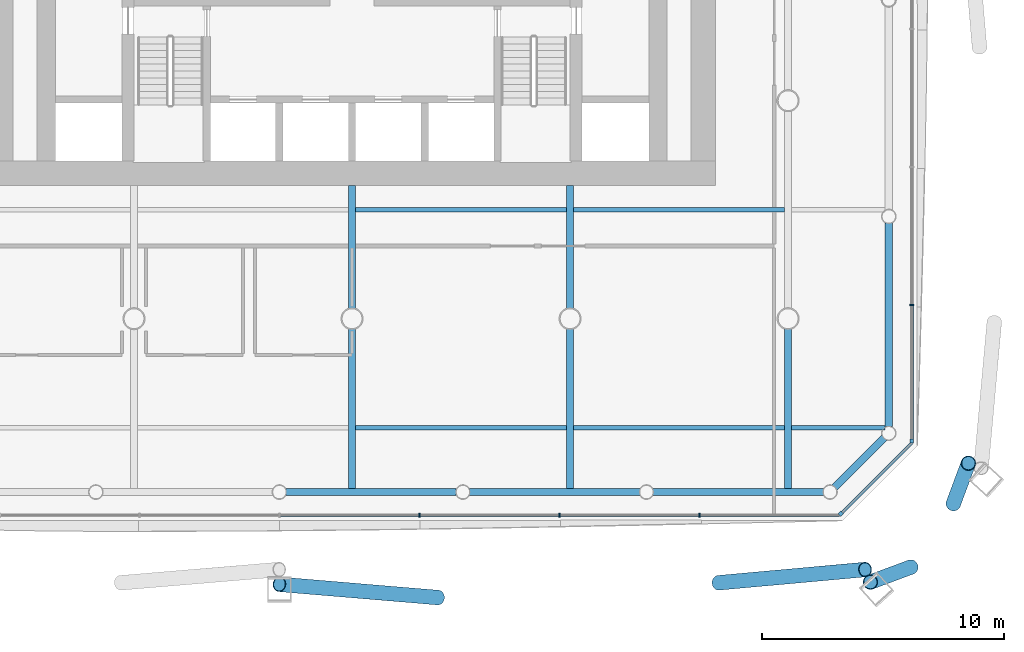
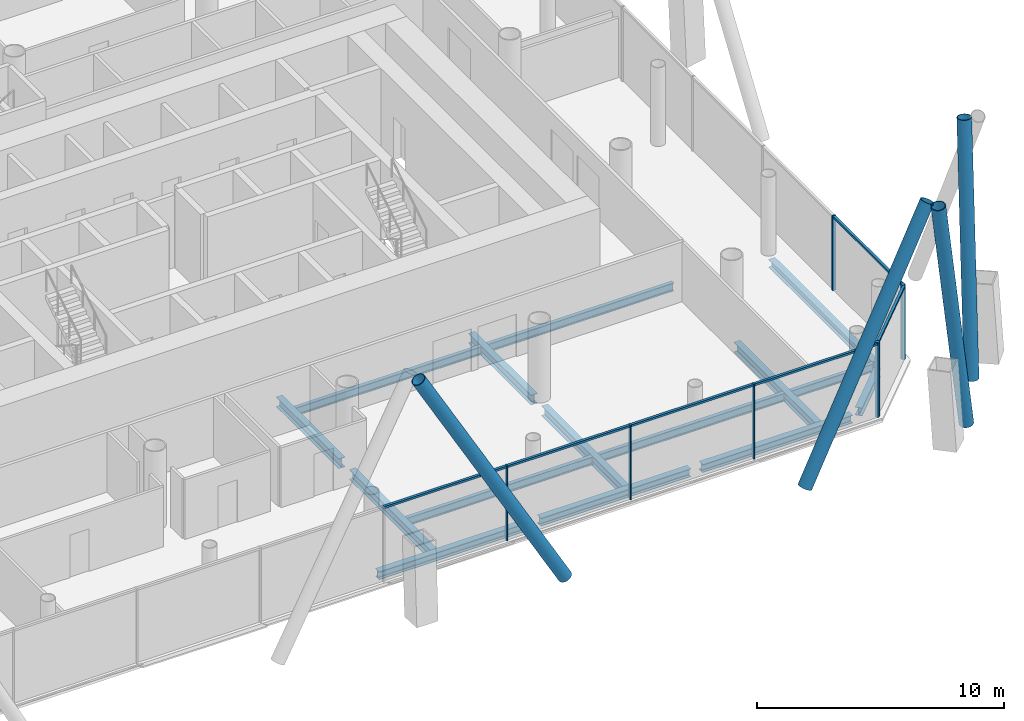
# One storey, part 5 of 21: 16 members, 15 beams, 3 elements without a shape of their own.
"""IFC4 building model written with IfcOpenShell, lengths in metres."""

from ifc_helpers import new_model, si_unit, direction, frame, origin, origin_2d, place, context, subcontext, project, spatial, rectangle, hollow_circle, i_section, extrude, material, material_profile, profile_set, type_object, element, aggregate, save


model = new_model("IFC4")

# Units and contexts
model_context = context("Model", 3, precision=1e-05, world=origin(), true_north=direction((0.0, 1.0)))
body_context = subcontext(model_context, "Body", "Model", "MODEL_VIEW")
ifc_project = project(units=[si_unit("LENGTHUNIT", "METRE"), si_unit("AREAUNIT", "SQUARE_METRE"), si_unit("VOLUMEUNIT", "CUBIC_METRE"), si_unit("PLANEANGLEUNIT", "RADIAN"), si_unit("MASSUNIT", "GRAM", prefix="KILO")], contexts=[model_context])

# Site, building, storey
site_placement = place(None, origin())
site = spatial("IfcSite", under=ifc_project, at=site_placement, CompositionType="ELEMENT")
building_placement = place(site_placement, origin())
building = spatial("IfcBuilding", under=site, at=building_placement, Name="Tskaro Facet Tower", CompositionType="ELEMENT")
storey_placement = place(building_placement, frame((0.0, 0.0, 45.89990234375)))
storey = spatial("IfcBuildingStorey", under=building, at=storey_placement, Name="L10", CompositionType="ELEMENT", Elevation=45.89990234375)

# Members
ifc_material_1 = material(Name="Steel S355J2H", Category="steel")
ifc_material_profile_1 = material_profile(ifc_material_1, hollow_circle(Radius=0.304931640625, WallThickness=0.030029296875, at=origin_2d()), Name="CHS 610x30")
ifc_profile_set_1 = profile_set([ifc_material_profile_1], Name="Steel S355J2H")
member_type_1 = type_object("IfcMemberType", Name="CHS 610x30 brace", PredefinedType="BRACE", material=ifc_profile_set_1)
member_1_placement = place(storey_placement, frame((15.135009765625, -28.90185546875, 0.0), z_axis=(0.458612663936, 0.041564087959, 0.887663703815), x_axis=(-0.090260117017, 0.995918225195, 0.0)))
element("IfcMember", 1, at=member_1_placement, inside=storey, type_object=member_type_1, Name="CHS 610x30 XB02A/1", PredefinedType="BRACE", context=body_context, shape_type="SweptSolid", body=[
    extrude(hollow_circle(Radius=0.304931640625, WallThickness=0.030029296875, at=origin_2d()), origin(), (0.0, 0.0, 1.0), 13.180908203125),
])
member_2_placement = place(storey_placement, frame((3.545166015625, -29.51171875, 0.0), z_axis=(-0.487802287614, 0.040812433553, 0.871999583409), x_axis=(-0.083374631246, -0.996518274225, 0.0)))
element("IfcMember", 2, at=member_2_placement, inside=storey, type_object=member_type_1, Name="CHS 610x30 XB02B/1", PredefinedType="BRACE", context=body_context, shape_type="SweptSolid", body=[
    extrude(hollow_circle(Radius=0.304931640625, WallThickness=0.030029296875, at=origin_2d()), origin(), (0.0, 0.0, 1.0), 13.417724609375),
])
for number, where, z_axis, x_axis, name in (
    (3, (24.82373046875, -25.6318359375, 0.0), (0.052357169135, 0.140898134434, 0.988638681497), (-0.937374066257, 0.348324360199, 0.0), "CHS 610x30 XB03A/1"),
    (4, (23.063232421875, -28.255126953125, 0.0), (-0.140898134434, -0.052357169135, 0.988638681497), (0.348324360199, -0.937374066257, 0.0), "CHS 610x30 XB03B/1"),
):
    element("IfcMember", number, at=place(storey_placement, frame(where, z_axis=z_axis, x_axis=x_axis)), inside=storey, type_object=member_type_1, Name=name, PredefinedType="BRACE", context=body_context, shape_type="SweptSolid", body=[
        extrude(hollow_circle(Radius=0.304931640625, WallThickness=0.030029296875, at=origin_2d()), origin(), (0.0, 0.0, 1.0), 11.834716796875),
    ])

# Curtain wall, member
ifc_material_2 = material(Name="Bronze anodised aluminium 6063-T6", Category="aluminium")
curtain_wall_type = type_object("IfcCurtainWallType", Name="Bronze office curtain wall (FW1)", PredefinedType="NOTDEFINED", material=ifc_material_2)
curtain_wall_1_placement = place(storey_placement, origin())
curtain_wall_1 = element("IfcCurtainWall", 5, at=curtain_wall_1_placement, inside=storey, type_object=curtain_wall_type, Name="FW1 south-east facet L10", PredefinedType="NOTDEFINED")
ifc_material_profile_2 = material_profile(ifc_material_2, rectangle(XDim=0.159912109375, YDim=0.159912109375, at=origin_2d()), Name="Corner post 160x160")
ifc_profile_set_2 = profile_set([ifc_material_profile_2], Name="Bronze anodised aluminium 6063-T6")
member_type_2 = type_object("IfcMemberType", Name="FW1 bronze corner post 160x160", PredefinedType="MULLION", material=ifc_profile_set_2)
member_3_placement = place(storey_placement, frame((20.178466796875, -26.050537109375, 0.0), z_axis=(0.0, 0.0, 1.0), x_axis=(0.707106781187, 0.707106781187, 0.0)))
member_3 = element("IfcMember", 6, at=member_3_placement, type_object=member_type_2, Name="FW1 south-east corner post", PredefinedType="MULLION", context=body_context, shape_type="SweptSolid", body=[
    extrude(rectangle(XDim=0.159912109375, YDim=0.159912109375, at=origin_2d()), origin(), (0.0, 0.0, 1.0), 3.7001953125),
])

curtain_wall_2_placement = place(storey_placement, origin())
curtain_wall_2 = element("IfcCurtainWall", 7, at=curtain_wall_2_placement, inside=storey, type_object=curtain_wall_type, Name="FW1 east facet L10", PredefinedType="NOTDEFINED")
member_4_placement = place(storey_placement, frame((23.10693359375, -23.0419921875, 0.0), z_axis=(0.0, 0.0, 1.0), x_axis=(0.0, 1.0, 0.0)))
member_4 = element("IfcMember", 8, at=member_4_placement, type_object=member_type_2, Name="FW1 east corner post", PredefinedType="MULLION", context=body_context, shape_type="SweptSolid", body=[
    extrude(rectangle(XDim=0.159912109375, YDim=0.159912109375, at=origin_2d()), origin(), (0.0, 0.0, 1.0), 3.7001953125),
])

# Curtain wall, members
curtain_wall_3_placement = place(storey_placement, origin())
curtain_wall_3 = element("IfcCurtainWall", 9, at=curtain_wall_3_placement, inside=storey, type_object=curtain_wall_type, Name="FW1 south facet L10", PredefinedType="NOTDEFINED")
ifc_material_profile_3 = material_profile(ifc_material_2, rectangle(XDim=0.06005859375, YDim=0.159912109375, at=origin_2d()), Name="Mullion 60x160")
ifc_profile_set_3 = profile_set([ifc_material_profile_3], Name="Bronze anodised aluminium 6063-T6")
member_type_3 = type_object("IfcMemberType", Name="FW1 bronze mullion 60x160", PredefinedType="MULLION", material=ifc_profile_set_3)
member_5_placement = place(storey_placement, frame((2.780517578125, -26.10693359375, 0.0), z_axis=(0.0, 0.0, 1.0), x_axis=(1.0, 0.0, 0.0)))
member_5 = element("IfcMember", 10, at=member_5_placement, type_object=member_type_3, Name="FW1 south mullion 5", PredefinedType="MULLION", context=body_context, shape_type="SweptSolid", body=[
    extrude(rectangle(XDim=0.06005859375, YDim=0.159912109375, at=origin_2d()), origin(), (0.0, 0.0, 1.0), 3.7001953125),
])
member_6_placement = place(storey_placement, frame((8.56103515625, -26.10693359375, 0.0), z_axis=(0.0, 0.0, 1.0), x_axis=(1.0, 0.0, 0.0)))
member_6 = element("IfcMember", 11, at=member_6_placement, type_object=member_type_3, Name="FW1 south mullion 6", PredefinedType="MULLION", context=body_context, shape_type="SweptSolid", body=[
    extrude(rectangle(XDim=0.06005859375, YDim=0.159912109375, at=origin_2d()), origin(), (0.0, 0.0, 1.0), 3.7001953125),
])
member_7_placement = place(storey_placement, frame((14.341552734375, -26.10693359375, 0.0), z_axis=(0.0, 0.0, 1.0), x_axis=(1.0, 0.0, 0.0)))
member_7 = element("IfcMember", 12, at=member_7_placement, type_object=member_type_3, Name="FW1 south mullion 7", PredefinedType="MULLION", context=body_context, shape_type="SweptSolid", body=[
    extrude(rectangle(XDim=0.06005859375, YDim=0.159912109375, at=origin_2d()), origin(), (0.0, 0.0, 1.0), 3.7001953125),
])

# Member
member_8_placement = place(storey_placement, frame((23.10693359375, -17.43115234375, 0.0), z_axis=(0.0, 0.0, 1.0), x_axis=(0.0, 1.0, 0.0)))
member_8 = element("IfcMember", 13, at=member_8_placement, type_object=member_type_3, Name="FW1 east mullion 1", PredefinedType="MULLION", context=body_context, shape_type="SweptSolid", body=[
    extrude(rectangle(XDim=0.06005859375, YDim=0.159912109375, at=origin_2d()), origin(), (0.0, 0.0, 1.0), 3.7001953125),
])

ifc_material_profile_4 = material_profile(ifc_material_2, rectangle(XDim=0.1201171875, YDim=0.10009765625, at=origin_2d()), Name="Transom 120x100")
ifc_profile_set_4 = profile_set([ifc_material_profile_4], Name="Bronze anodised aluminium 6063-T6")
member_type_4 = type_object("IfcMemberType", Name="FW1 bronze transom 120x100", PredefinedType="USERDEFINED", material=ifc_profile_set_4)
member_9_placement = place(storey_placement, frame((-2.969970703125, -26.10693359375, 3.650146484375), z_axis=(1.0, 0.0, 0.0), x_axis=(0.0, 1.0, 0.0)))
member_9 = element("IfcMember", 14, at=member_9_placement, type_object=member_type_4, Name="FW1 south transom 5.1", ObjectType="TRANSOM", PredefinedType="USERDEFINED", context=body_context, shape_type="SweptSolid", body=[
    extrude(rectangle(XDim=0.1201171875, YDim=0.10009765625, at=origin_2d()), origin(), (0.0, 0.0, 1.0), 5.720458984375),
])

member_10_placement = place(storey_placement, frame((2.810546875, -26.10693359375, 3.650146484375), z_axis=(1.0, 0.0, 0.0), x_axis=(0.0, 1.0, 0.0)))
member_10 = element("IfcMember", 15, at=member_10_placement, type_object=member_type_4, Name="FW1 south transom 6.1", ObjectType="TRANSOM", PredefinedType="USERDEFINED", context=body_context, shape_type="SweptSolid", body=[
    extrude(rectangle(XDim=0.1201171875, YDim=0.10009765625, at=origin_2d()), origin(), (0.0, 0.0, 1.0), 5.720458984375),
])

member_11_placement = place(storey_placement, frame((8.591064453125, -26.10693359375, 3.650146484375), z_axis=(1.0, 0.0, 0.0), x_axis=(0.0, 1.0, 0.0)))
member_11 = element("IfcMember", 16, at=member_11_placement, type_object=member_type_4, Name="FW1 south transom 7.1", ObjectType="TRANSOM", PredefinedType="USERDEFINED", context=body_context, shape_type="SweptSolid", body=[
    extrude(rectangle(XDim=0.1201171875, YDim=0.10009765625, at=origin_2d()), origin(), (0.0, 0.0, 1.0), 5.720458984375),
])

member_12_placement = place(storey_placement, frame((14.37158203125, -26.10693359375, 3.650146484375), z_axis=(1.0, 0.0, 0.0), x_axis=(0.0, 1.0, 0.0)))
member_12 = element("IfcMember", 17, at=member_12_placement, type_object=member_type_4, Name="FW1 south transom 8.1", ObjectType="TRANSOM", PredefinedType="USERDEFINED", context=body_context, shape_type="SweptSolid", body=[
    extrude(rectangle(XDim=0.1201171875, YDim=0.10009765625, at=origin_2d()), origin(), (0.0, 0.0, 1.0), 5.75048828125),
])

aggregate(curtain_wall_3, [member_5, member_6, member_7, member_9, member_10, member_11, member_12])

member_13_placement = place(storey_placement, frame((20.235107421875, -25.993896484375, 3.650146484375), z_axis=(0.707106781187, 0.707106781187, 0.0), x_axis=(-0.707106781187, 0.707106781187, 0.0)))
member_13 = element("IfcMember", 18, at=member_13_placement, type_object=member_type_4, Name="FW1 south-east transom 1.1", ObjectType="TRANSOM", PredefinedType="USERDEFINED", context=body_context, shape_type="SweptSolid", body=[
    extrude(rectangle(XDim=0.1201171875, YDim=0.10009765625, at=origin_2d()), origin(), (0.0, 0.0, 1.0), 4.061279296875),
])

aggregate(curtain_wall_1, [member_3, member_13])

member_14_placement = place(storey_placement, frame((23.10693359375, -22.9619140625, 3.650146484375), z_axis=(0.0, 1.0, 0.0), x_axis=(-1.0, 0.0, 0.0)))
member_14 = element("IfcMember", 19, at=member_14_placement, type_object=member_type_4, Name="FW1 east transom 1.1", ObjectType="TRANSOM", PredefinedType="USERDEFINED", context=body_context, shape_type="SweptSolid", body=[
    extrude(rectangle(XDim=0.1201171875, YDim=0.10009765625, at=origin_2d()), origin(), (0.0, 0.0, 1.0), 5.500732421875),
])

aggregate(curtain_wall_2, [member_4, member_8, member_14])

# Beams
ifc_material_3 = material(Name="Steel S355J2", Category="steel")
ifc_material_profile_5 = material_profile(ifc_material_3, i_section(OverallWidth=0.300048828125, OverallDepth=0.39990234375, WebThickness=0.013427734375, FlangeThickness=0.02392578125, FilletRadius=0.027099609375, at=origin_2d()), Name="HE 400 B")
ifc_profile_set_5 = profile_set([ifc_material_profile_5], Name="Steel S355J2")
beam_type_1 = type_object("IfcBeamType", Name="HE 400 B ring beam", PredefinedType="BEAM", material=ifc_profile_set_5)
beam_1_placement = place(storey_placement, frame((-2.72509765625, -25.156982421875, -0.33984375), z_axis=(1.0, 0.0, 0.0), x_axis=(0.0, 1.0, 0.0)))
element("IfcBeam", 20, at=beam_1_placement, inside=storey, type_object=beam_type_1, Name="HE 400 B EB4-1", PredefinedType="BEAM", context=body_context, shape_type="SweptSolid", body=[
    extrude(i_section(OverallWidth=0.300048828125, OverallDepth=0.39990234375, WebThickness=0.013427734375, FlangeThickness=0.02392578125, FilletRadius=0.027099609375, at=origin_2d()), origin(), (0.0, 0.0, 1.0), 7.026123046875),
])
beam_2_placement = place(storey_placement, frame((4.85107421875, -25.156982421875, -0.33984375), z_axis=(1.0, 0.0, 0.0), x_axis=(0.0, 1.0, 0.0)))
element("IfcBeam", 21, at=beam_2_placement, inside=storey, type_object=beam_type_1, Name="HE 400 B EB5-1", PredefinedType="BEAM", context=body_context, shape_type="SweptSolid", body=[
    extrude(i_section(OverallWidth=0.300048828125, OverallDepth=0.39990234375, WebThickness=0.013427734375, FlangeThickness=0.02392578125, FilletRadius=0.027099609375, at=origin_2d()), origin(), (0.0, 0.0, 1.0), 7.02685546875),
])
beam_3_placement = place(storey_placement, frame((12.427978515625, -25.156982421875, -0.33984375), z_axis=(1.0, 0.0, 0.0), x_axis=(0.0, 1.0, 0.0)))
element("IfcBeam", 22, at=beam_3_placement, inside=storey, type_object=beam_type_1, Name="HE 400 B EB6-1", PredefinedType="BEAM", context=body_context, shape_type="SweptSolid", body=[
    extrude(i_section(OverallWidth=0.300048828125, OverallDepth=0.39990234375, WebThickness=0.013427734375, FlangeThickness=0.02392578125, FilletRadius=0.027099609375, at=origin_2d()), origin(), (0.0, 0.0, 1.0), 7.026123046875),
])
beam_4_placement = place(storey_placement, frame((19.92333984375, -24.962646484375, -0.33984375), z_axis=(0.707106781187, 0.707106781187, 0.0), x_axis=(-0.707106781187, 0.707106781187, 0.0)))
element("IfcBeam", 23, at=beam_4_placement, inside=storey, type_object=beam_type_1, Name="HE 400 B EB7-1", PredefinedType="BEAM", context=body_context, shape_type="SweptSolid", body=[
    extrude(i_section(OverallWidth=0.300048828125, OverallDepth=0.39990234375, WebThickness=0.013427734375, FlangeThickness=0.02392578125, FilletRadius=0.027099609375, at=origin_2d()), origin(), (0.0, 0.0, 1.0), 2.884033203125),
])
beam_5_placement = place(storey_placement, frame((22.156982421875, -22.4541015625, -0.33984375), z_axis=(0.0, 1.0, 0.0), x_axis=(-1.0, 0.0, 0.0)))
element("IfcBeam", 24, at=beam_5_placement, inside=storey, type_object=beam_type_1, Name="HE 400 B EB8-1", PredefinedType="BEAM", context=body_context, shape_type="SweptSolid", body=[
    extrude(i_section(OverallWidth=0.300048828125, OverallDepth=0.39990234375, WebThickness=0.013427734375, FlangeThickness=0.02392578125, FilletRadius=0.027099609375, at=origin_2d()), origin(), (0.0, 0.0, 1.0), 8.398193359375),
])
ifc_material_profile_6 = material_profile(ifc_material_3, i_section(OverallWidth=0.300048828125, OverallDepth=0.489990234375, WebThickness=0.011962890625, FlangeThickness=0.02294921875, FilletRadius=0.027099609375, at=origin_2d()), Name="HE 500 A")
ifc_profile_set_6 = profile_set([ifc_material_profile_6], Name="Steel S355J2")
beam_type_2 = type_object("IfcBeamType", Name="HE 500 A girder", PredefinedType="BEAM", material=ifc_profile_set_6)
beam_6_placement = place(storey_placement, frame((0.0, -25.007080078125, -0.385009765625), z_axis=(0.0, 1.0, 0.0), x_axis=(-1.0, 0.0, 0.0)))
element("IfcBeam", 25, at=beam_6_placement, inside=storey, type_object=beam_type_2, Name="HE 500 A GB4-1-1", PredefinedType="BEAM", context=body_context, shape_type="SweptSolid", body=[
    extrude(i_section(OverallWidth=0.300048828125, OverallDepth=0.489990234375, WebThickness=0.011962890625, FlangeThickness=0.02294921875, FilletRadius=0.027099609375, at=origin_2d()), origin(), (0.0, 0.0, 1.0), 6.579833984375),
])
beam_7_placement = place(storey_placement, frame((0.0, -17.57275390625, -0.385009765625), z_axis=(0.0, 1.0, 0.0), x_axis=(-1.0, 0.0, 0.0)))
element("IfcBeam", 26, at=beam_7_placement, inside=storey, type_object=beam_type_2, Name="HE 500 A GB4-2-1", PredefinedType="BEAM", context=body_context, shape_type="SweptSolid", body=[
    extrude(i_section(OverallWidth=0.300048828125, OverallDepth=0.489990234375, WebThickness=0.011962890625, FlangeThickness=0.02294921875, FilletRadius=0.027099609375, at=origin_2d()), origin(), (0.0, 0.0, 1.0), 5.07275390625),
])
beam_8_placement = place(storey_placement, frame((9.0, -25.007080078125, -0.385009765625), z_axis=(0.0, 1.0, 0.0), x_axis=(-1.0, 0.0, 0.0)))
element("IfcBeam", 27, at=beam_8_placement, inside=storey, type_object=beam_type_2, Name="HE 500 A GB5-1-1", PredefinedType="BEAM", context=body_context, shape_type="SweptSolid", body=[
    extrude(i_section(OverallWidth=0.300048828125, OverallDepth=0.489990234375, WebThickness=0.011962890625, FlangeThickness=0.02294921875, FilletRadius=0.027099609375, at=origin_2d()), origin(), (0.0, 0.0, 1.0), 6.579833984375),
])
beam_9_placement = place(storey_placement, frame((9.0, -17.57275390625, -0.385009765625), z_axis=(0.0, 1.0, 0.0), x_axis=(-1.0, 0.0, 0.0)))
element("IfcBeam", 28, at=beam_9_placement, inside=storey, type_object=beam_type_2, Name="HE 500 A GB5-2-1", PredefinedType="BEAM", context=body_context, shape_type="SweptSolid", body=[
    extrude(i_section(OverallWidth=0.300048828125, OverallDepth=0.489990234375, WebThickness=0.011962890625, FlangeThickness=0.02294921875, FilletRadius=0.027099609375, at=origin_2d()), origin(), (0.0, 0.0, 1.0), 5.07275390625),
])
beam_10_placement = place(storey_placement, frame((18.0, -25.007080078125, -0.385009765625), z_axis=(0.0, 1.0, 0.0), x_axis=(-1.0, 0.0, 0.0)))
element("IfcBeam", 29, at=beam_10_placement, inside=storey, type_object=beam_type_2, Name="HE 500 A GB6-1-1", PredefinedType="BEAM", context=body_context, shape_type="SweptSolid", body=[
    extrude(i_section(OverallWidth=0.300048828125, OverallDepth=0.489990234375, WebThickness=0.011962890625, FlangeThickness=0.02294921875, FilletRadius=0.027099609375, at=origin_2d()), origin(), (0.0, 0.0, 1.0), 6.579833984375),
])
ifc_material_profile_7 = material_profile(ifc_material_3, i_section(OverallWidth=0.179931640625, OverallDepth=0.39990234375, WebThickness=0.008544921875, FlangeThickness=0.013427734375, FilletRadius=0.02099609375, at=origin_2d()), Name="IPE 400")
ifc_profile_set_7 = profile_set([ifc_material_profile_7], Name="Steel S355J2")
beam_type_3 = type_object("IfcBeamType", Name="IPE 400 secondary beam", PredefinedType="BEAM", material=ifc_profile_set_7)
for number, where, z_axis, x_axis, name in (
    (30, (0.14990234375, -22.5, -0.33984375), (1.0, 0.0, 0.0), (0.0, 1.0, 0.0), "IPE 400 SB1a-4-1"),
    (31, (9.14990234375, -22.5, -0.33984375), (1.0, 0.0, 0.0), (0.0, 1.0, 0.0), "IPE 400 SB1a-5-1"),
):
    element("IfcBeam", number, at=place(storey_placement, frame(where, z_axis=z_axis, x_axis=x_axis)), inside=storey, type_object=beam_type_3, Name=name, PredefinedType="BEAM", context=body_context, shape_type="SweptSolid", body=[
        extrude(i_section(OverallWidth=0.179931640625, OverallDepth=0.39990234375, WebThickness=0.008544921875, FlangeThickness=0.013427734375, FilletRadius=0.02099609375, at=origin_2d()), origin(), (0.0, 0.0, 1.0), 8.7001953125),
    ])
beam_11_placement = place(storey_placement, frame((18.14990234375, -22.5, -0.33984375), z_axis=(1.0, 0.0, 0.0), x_axis=(0.0, 1.0, 0.0)))
element("IfcBeam", 32, at=beam_11_placement, inside=storey, type_object=beam_type_3, Name="IPE 400 SB1a-6-1", PredefinedType="BEAM", context=body_context, shape_type="SweptSolid", body=[
    extrude(i_section(OverallWidth=0.179931640625, OverallDepth=0.39990234375, WebThickness=0.008544921875, FlangeThickness=0.013427734375, FilletRadius=0.02099609375, at=origin_2d()), origin(), (0.0, 0.0, 1.0), 3.857177734375),
])
for number, where, z_axis, x_axis, name in (
    (33, (0.14990234375, -13.5, -0.33984375), (1.0, 0.0, 0.0), (0.0, 1.0, 0.0), "IPE 400 SB2a-4-1"),
    (34, (9.14990234375, -13.5, -0.33984375), (1.0, 0.0, 0.0), (0.0, 1.0, 0.0), "IPE 400 SB2a-5-1"),
):
    element("IfcBeam", number, at=place(storey_placement, frame(where, z_axis=z_axis, x_axis=x_axis)), inside=storey, type_object=beam_type_3, Name=name, PredefinedType="BEAM", context=body_context, shape_type="SweptSolid", body=[
        extrude(i_section(OverallWidth=0.179931640625, OverallDepth=0.39990234375, WebThickness=0.008544921875, FlangeThickness=0.013427734375, FilletRadius=0.02099609375, at=origin_2d()), origin(), (0.0, 0.0, 1.0), 8.7001953125),
    ])

save(model, "model.ifc")
